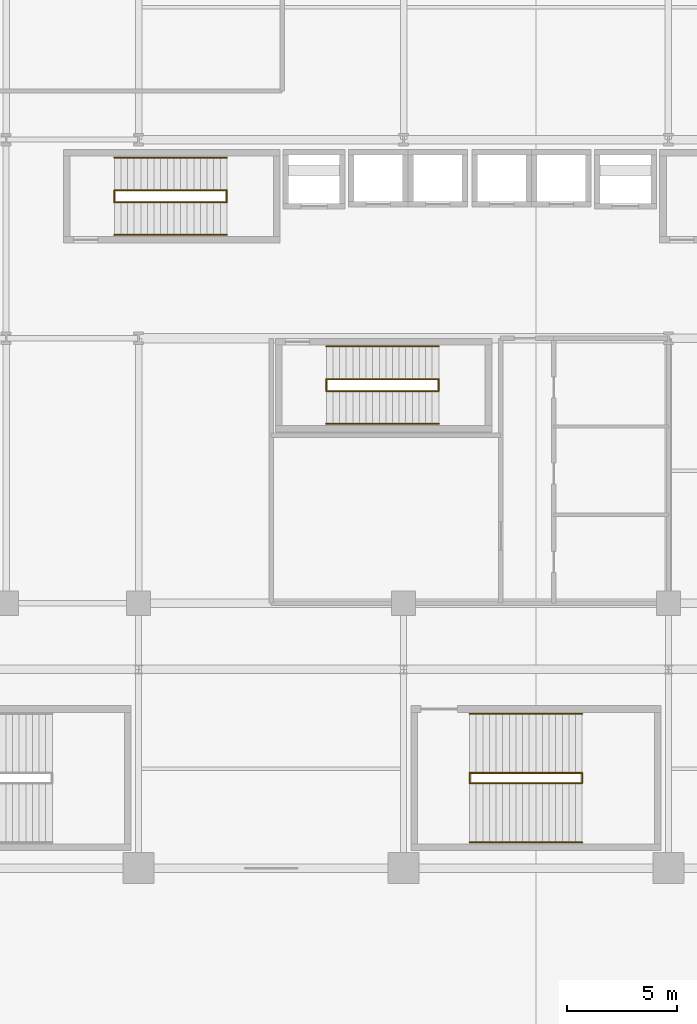
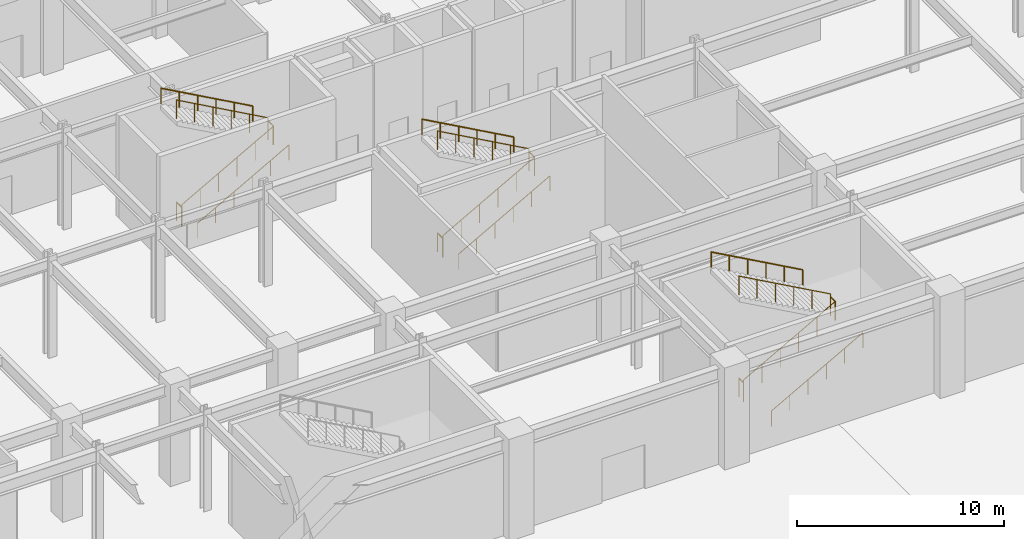
# One storey, part 40 of 44: 18 railings.
"""IFC4 building model written with IfcOpenShell, lengths in metres."""

from ifc_helpers import new_model, si_unit, direction, frame, origin, origin_2d, place, context, subcontext, project, spatial, circle, extrude, material, type_object, element, save


model = new_model("IFC4")

# Units and contexts
model_context = context("Model", 3, precision=1e-05, world=origin(), true_north=direction((0.0, 1.0)))
body_context = subcontext(model_context, "Body", "Model", "MODEL_VIEW")
ifc_project = project(units=[si_unit("LENGTHUNIT", "METRE"), si_unit("AREAUNIT", "SQUARE_METRE"), si_unit("VOLUMEUNIT", "CUBIC_METRE"), si_unit("PLANEANGLEUNIT", "RADIAN"), si_unit("MASSUNIT", "GRAM", prefix="KILO")], contexts=[model_context])

# Site, building, storey
site_placement = place(None, origin())
site = spatial("IfcSite", under=ifc_project, at=site_placement, CompositionType="ELEMENT")
building_placement = place(site_placement, origin())
building = spatial("IfcBuilding", under=site, at=building_placement, Name="Kaldorvane Square Convention Centre", CompositionType="ELEMENT")
storey_placement = place(building_placement, origin())
storey = spatial("IfcBuildingStorey", under=building, at=storey_placement, Name="L00", CompositionType="ELEMENT", Elevation=0.0)

# Railings
ifc_material = material(Name="Architectural Painted Steel", Category="steel")
railing_type_1 = type_object("IfcRailingType", Name="RL-GUARD-1120", PredefinedType="BALUSTRADE", material=ifc_material)
for number, where, name in (
    (1, (40.899993896484375, 102.16999816894531, 0.0), "Tower Exit Stair T1 Floor Well Guard (L00)"),
    (2, (46.0, 102.16999816894531, 3.0), "Tower Exit Stair T1 Half-Landing Guard (L00)"),
):
    element("IfcRailing", number, at=place(storey_placement, frame(where)), inside=storey, type_object=railing_type_1, Name=name, PredefinedType="BALUSTRADE", context=body_context, shape_type="SweptSolid", body=[
        extrude(circle(Radius=0.0240020751953125, at=origin_2d()), frame((0.0, 0.0, 1.0959930419921875), z_axis=(0.0, 1.0, 0.0), x_axis=(-1.0, 0.0, 0.0)), (0.0, 0.0, 1.0), 0.5200042724609375),
        extrude(circle(Radius=0.02099609375, at=origin_2d()), origin(), (0.0, 0.0, 1.0), 1.071990966796875),
        extrude(circle(Radius=0.02099609375, at=origin_2d()), frame((0.0, 0.5200042724609375, 0.0)), (0.0, 0.0, 1.0), 1.071990966796875),
    ])
railing_1_placement = place(storey_placement, frame((40.899993896484375, 102.16000366210938, 0.1666717529296875)))
element("IfcRailing", 3, at=railing_1_placement, inside=storey, type_object=railing_type_1, Name="Tower Exit Stair T1 Flight 1 Guard (L00)", PredefinedType="BALUSTRADE", context=body_context, shape_type="SweptSolid", body=[
    extrude(circle(Radius=0.0240020751953125, at=origin_2d()), frame((0.0, 0.0, 1.0959930419921875), z_axis=(0.874157892962, 0.0, 0.485641820864), x_axis=(0.0, 1.0, 0.0)), (0.0, 0.0, 1.0), 5.834197998046875),
    extrude(circle(Radius=0.02099609375, at=origin_2d()), origin(), (0.0, 0.0, 1.0), 1.071990966796875),
    extrude(circle(Radius=0.02099609375, at=origin_2d()), frame((1.0200042724609375, 0.0, 0.5666656494140625)), (0.0, 0.0, 1.0), 1.071990966796875),
    extrude(circle(Radius=0.02099609375, at=origin_2d()), frame((2.040008544921875, 0.0, 1.133331298828125)), (0.0, 0.0, 1.0), 1.071990966796875),
    extrude(circle(Radius=0.02099609375, at=origin_2d()), frame((3.05999755859375, 0.0, 1.6999969482421875)), (0.0, 0.0, 1.0), 1.071990966796875),
    extrude(circle(Radius=0.02099609375, at=origin_2d()), frame((4.0800018310546875, 0.0, 2.26666259765625)), (0.0, 0.0, 1.0), 1.071990966796875),
    extrude(circle(Radius=0.02099609375, at=origin_2d()), frame((5.100006103515625, 0.0, 2.8333282470703125)), (0.0, 0.0, 1.0), 1.071990966796875),
])
railing_2_placement = place(storey_placement, frame((46.0, 102.69999694824219, 3.1666717529296875)))
element("IfcRailing", 4, at=railing_2_placement, inside=storey, type_object=railing_type_1, Name="Tower Exit Stair T1 Flight 2 Guard (L00)", PredefinedType="BALUSTRADE", context=body_context, shape_type="SweptSolid", body=[
    extrude(circle(Radius=0.0240020751953125, at=origin_2d()), frame((0.0, 0.0, 1.0959930419921875), z_axis=(-0.874157892962, 0.0, 0.485641820864), x_axis=(0.0, -1.0, 0.0)), (0.0, 0.0, 1.0), 5.834197998046875),
    extrude(circle(Radius=0.02099609375, at=origin_2d()), origin(), (0.0, 0.0, 1.0), 1.071990966796875),
    extrude(circle(Radius=0.02099609375, at=origin_2d()), frame((-1.0200042724609375, 0.0, 0.5666656494140625)), (0.0, 0.0, 1.0), 1.071990966796875),
    extrude(circle(Radius=0.02099609375, at=origin_2d()), frame((-2.040008544921875, 0.0, 1.133331298828125)), (0.0, 0.0, 1.0), 1.071990966796875),
    extrude(circle(Radius=0.02099609375, at=origin_2d()), frame((-3.05999755859375, 0.0, 1.6999969482421875)), (0.0, 0.0, 1.0), 1.071990966796875),
    extrude(circle(Radius=0.02099609375, at=origin_2d()), frame((-4.0800018310546875, 0.0, 2.26666259765625)), (0.0, 0.0, 1.0), 1.071990966796875),
    extrude(circle(Radius=0.02099609375, at=origin_2d()), frame((-5.100006103515625, 0.0, 2.8333282470703125)), (0.0, 0.0, 1.0), 1.071990966796875),
])
for number, where, name in (
    (5, (50.5, 93.6199951171875, 0.0), "Tower Exit Stair T3 Floor Well Guard (L00)"),
    (6, (55.600006103515625, 93.6199951171875, 3.0), "Tower Exit Stair T3 Half-Landing Guard (L00)"),
):
    element("IfcRailing", number, at=place(storey_placement, frame(where)), inside=storey, type_object=railing_type_1, Name=name, PredefinedType="BALUSTRADE", context=body_context, shape_type="SweptSolid", body=[
        extrude(circle(Radius=0.0240020751953125, at=origin_2d()), frame((0.0, 0.0, 1.0959930419921875), z_axis=(0.0, 1.0, 0.0), x_axis=(-1.0, 0.0, 0.0)), (0.0, 0.0, 1.0), 0.5200042724609375),
        extrude(circle(Radius=0.02099609375, at=origin_2d()), origin(), (0.0, 0.0, 1.0), 1.071990966796875),
        extrude(circle(Radius=0.02099609375, at=origin_2d()), frame((0.0, 0.5200042724609375, 0.0)), (0.0, 0.0, 1.0), 1.071990966796875),
    ])
railing_3_placement = place(storey_placement, frame((50.5, 93.61000061035156, 0.1666717529296875)))
element("IfcRailing", 7, at=railing_3_placement, inside=storey, type_object=railing_type_1, Name="Tower Exit Stair T3 Flight 1 Guard (L00)", PredefinedType="BALUSTRADE", context=body_context, shape_type="SweptSolid", body=[
    extrude(circle(Radius=0.0240020751953125, at=origin_2d()), frame((0.0, 0.0, 1.0959930419921875), z_axis=(0.874157892962, 0.0, 0.485641820864), x_axis=(0.0, 1.0, 0.0)), (0.0, 0.0, 1.0), 5.834197998046875),
    extrude(circle(Radius=0.02099609375, at=origin_2d()), origin(), (0.0, 0.0, 1.0), 1.071990966796875),
    extrude(circle(Radius=0.02099609375, at=origin_2d()), frame((1.0200042724609375, 0.0, 0.5666656494140625)), (0.0, 0.0, 1.0), 1.071990966796875),
    extrude(circle(Radius=0.02099609375, at=origin_2d()), frame((2.040008544921875, 0.0, 1.133331298828125)), (0.0, 0.0, 1.0), 1.071990966796875),
    extrude(circle(Radius=0.02099609375, at=origin_2d()), frame((3.05999755859375, 0.0, 1.6999969482421875)), (0.0, 0.0, 1.0), 1.071990966796875),
    extrude(circle(Radius=0.02099609375, at=origin_2d()), frame((4.0800018310546875, 0.0, 2.26666259765625)), (0.0, 0.0, 1.0), 1.071990966796875),
    extrude(circle(Radius=0.02099609375, at=origin_2d()), frame((5.100006103515625, 0.0, 2.8333282470703125)), (0.0, 0.0, 1.0), 1.071990966796875),
])
railing_4_placement = place(storey_placement, frame((55.600006103515625, 94.14999389648438, 3.1666717529296875)))
element("IfcRailing", 8, at=railing_4_placement, inside=storey, type_object=railing_type_1, Name="Tower Exit Stair T3 Flight 2 Guard (L00)", PredefinedType="BALUSTRADE", context=body_context, shape_type="SweptSolid", body=[
    extrude(circle(Radius=0.0240020751953125, at=origin_2d()), frame((0.0, 0.0, 1.0959930419921875), z_axis=(-0.874157892962, 0.0, 0.485641820864), x_axis=(0.0, -1.0, 0.0)), (0.0, 0.0, 1.0), 5.834197998046875),
    extrude(circle(Radius=0.02099609375, at=origin_2d()), origin(), (0.0, 0.0, 1.0), 1.071990966796875),
    extrude(circle(Radius=0.02099609375, at=origin_2d()), frame((-1.0200042724609375, 0.0, 0.5666656494140625)), (0.0, 0.0, 1.0), 1.071990966796875),
    extrude(circle(Radius=0.02099609375, at=origin_2d()), frame((-2.040008544921875, 0.0, 1.133331298828125)), (0.0, 0.0, 1.0), 1.071990966796875),
    extrude(circle(Radius=0.02099609375, at=origin_2d()), frame((-3.05999755859375, 0.0, 1.6999969482421875)), (0.0, 0.0, 1.0), 1.071990966796875),
    extrude(circle(Radius=0.02099609375, at=origin_2d()), frame((-4.0800018310546875, 0.0, 2.26666259765625)), (0.0, 0.0, 1.0), 1.071990966796875),
    extrude(circle(Radius=0.02099609375, at=origin_2d()), frame((-5.100006103515625, 0.0, 2.8333282470703125)), (0.0, 0.0, 1.0), 1.071990966796875),
])
for number, where, name in (
    (9, (56.99000549316406, 75.86000061035156, 0.0), "Convention Exit Stair C14 Floor Well Guard (L00)"),
    (10, (62.089996337890625, 75.86000061035156, 3.0), "Convention Exit Stair C14 Half-Landing Guard (L00)"),
):
    element("IfcRailing", number, at=place(storey_placement, frame(where)), inside=storey, type_object=railing_type_1, Name=name, PredefinedType="BALUSTRADE", context=body_context, shape_type="SweptSolid", body=[
        extrude(circle(Radius=0.0240020751953125, at=origin_2d()), frame((0.0, 0.0, 1.0959930419921875), z_axis=(0.0, 1.0, 0.0), x_axis=(-1.0, 0.0, 0.0)), (0.0, 0.0, 1.0), 0.44000244140625),
        extrude(circle(Radius=0.02099609375, at=origin_2d()), origin(), (0.0, 0.0, 1.0), 1.071990966796875),
        extrude(circle(Radius=0.02099609375, at=origin_2d()), frame((0.0, 0.44000244140625, 0.0)), (0.0, 0.0, 1.0), 1.071990966796875),
    ])
railing_5_placement = place(storey_placement, frame((56.99000549316406, 75.85000610351562, 0.1666717529296875)))
element("IfcRailing", 11, at=railing_5_placement, inside=storey, type_object=railing_type_1, Name="Convention Exit Stair C14 Flight 1 Guard (L00)", PredefinedType="BALUSTRADE", context=body_context, shape_type="SweptSolid", body=[
    extrude(circle(Radius=0.0240020751953125, at=origin_2d()), frame((0.0, 0.0, 1.0959930419921875), z_axis=(0.874157276122, 0.0, 0.485642931179), x_axis=(0.0, 1.0, 0.0)), (0.0, 0.0, 1.0), 5.8341827392578125),
    extrude(circle(Radius=0.02099609375, at=origin_2d()), origin(), (0.0, 0.0, 1.0), 1.071990966796875),
    extrude(circle(Radius=0.02099609375, at=origin_2d()), frame((1.0200042724609375, 0.0, 0.5666656494140625)), (0.0, 0.0, 1.0), 1.071990966796875),
    extrude(circle(Radius=0.02099609375, at=origin_2d()), frame((2.0399932861328125, 0.0, 1.133331298828125)), (0.0, 0.0, 1.0), 1.071990966796875),
    extrude(circle(Radius=0.02099609375, at=origin_2d()), frame((3.05999755859375, 0.0, 1.6999969482421875)), (0.0, 0.0, 1.0), 1.071990966796875),
    extrude(circle(Radius=0.02099609375, at=origin_2d()), frame((4.079986572265625, 0.0, 2.26666259765625)), (0.0, 0.0, 1.0), 1.071990966796875),
    extrude(circle(Radius=0.02099609375, at=origin_2d()), frame((5.0999908447265625, 0.0, 2.8333282470703125)), (0.0, 0.0, 1.0), 1.071990966796875),
])
railing_6_placement = place(storey_placement, frame((62.089996337890625, 76.30999755859375, 3.1666717529296875)))
element("IfcRailing", 12, at=railing_6_placement, inside=storey, type_object=railing_type_1, Name="Convention Exit Stair C14 Flight 2 Guard (L00)", PredefinedType="BALUSTRADE", context=body_context, shape_type="SweptSolid", body=[
    extrude(circle(Radius=0.0240020751953125, at=origin_2d()), frame((0.0, 0.0, 1.0959930419921875), z_axis=(-0.874157276122, 0.0, 0.485642931179), x_axis=(0.0, -1.0, 0.0)), (0.0, 0.0, 1.0), 5.8341827392578125),
    extrude(circle(Radius=0.02099609375, at=origin_2d()), origin(), (0.0, 0.0, 1.0), 1.071990966796875),
    extrude(circle(Radius=0.02099609375, at=origin_2d()), frame((-1.0200042724609375, 0.0, 0.5666656494140625)), (0.0, 0.0, 1.0), 1.071990966796875),
    extrude(circle(Radius=0.02099609375, at=origin_2d()), frame((-2.0399932861328125, 0.0, 1.133331298828125)), (0.0, 0.0, 1.0), 1.071990966796875),
    extrude(circle(Radius=0.02099609375, at=origin_2d()), frame((-3.05999755859375, 0.0, 1.6999969482421875)), (0.0, 0.0, 1.0), 1.071990966796875),
    extrude(circle(Radius=0.02099609375, at=origin_2d()), frame((-4.079986572265625, 0.0, 2.26666259765625)), (0.0, 0.0, 1.0), 1.071990966796875),
    extrude(circle(Radius=0.02099609375, at=origin_2d()), frame((-5.0999908447265625, 0.0, 2.8333282470703125)), (0.0, 0.0, 1.0), 1.071990966796875),
])
railing_type_2 = type_object("IfcRailingType", Name="RL-HAND-915", PredefinedType="HANDRAIL", material=ifc_material)
railing_7_placement = place(storey_placement, frame((40.899993896484375, 100.67999267578125, 0.1666717529296875)))
element("IfcRailing", 13, at=railing_7_placement, inside=storey, type_object=railing_type_2, Name="Tower Exit Stair T1 Wall Handrail 1 (L00)", PredefinedType="HANDRAIL", context=body_context, shape_type="SweptSolid", body=[
    extrude(circle(Radius=0.0240020751953125, at=origin_2d()), frame((0.0, 0.0, 0.8909912109375), z_axis=(0.874157892962, 0.0, 0.485641820864), x_axis=(0.0, 1.0, 0.0)), (0.0, 0.0, 1.0), 5.834197998046875),
    extrude(circle(Radius=0.02099609375, at=origin_2d()), origin(), (0.0, 0.0, 1.0), 0.8669891357421875),
    extrude(circle(Radius=0.02099609375, at=origin_2d()), frame((1.0200042724609375, 0.0, 0.5666656494140625)), (0.0, 0.0, 1.0), 0.8669891357421875),
    extrude(circle(Radius=0.02099609375, at=origin_2d()), frame((2.040008544921875, 0.0, 1.133331298828125)), (0.0, 0.0, 1.0), 0.8669891357421875),
    extrude(circle(Radius=0.02099609375, at=origin_2d()), frame((3.05999755859375, 0.0, 1.6999969482421875)), (0.0, 0.0, 1.0), 0.8669891357421875),
    extrude(circle(Radius=0.02099609375, at=origin_2d()), frame((4.0800018310546875, 0.0, 2.26666259765625)), (0.0, 0.0, 1.0), 0.8669891357421875),
    extrude(circle(Radius=0.02099609375, at=origin_2d()), frame((5.100006103515625, 0.0, 2.8333282470703125)), (0.0, 0.0, 1.0), 0.8669891357421875),
])
railing_8_placement = place(storey_placement, frame((46.0, 104.17999267578125, 3.1666717529296875)))
element("IfcRailing", 14, at=railing_8_placement, inside=storey, type_object=railing_type_2, Name="Tower Exit Stair T1 Wall Handrail 2 (L00)", PredefinedType="HANDRAIL", context=body_context, shape_type="SweptSolid", body=[
    extrude(circle(Radius=0.0240020751953125, at=origin_2d()), frame((0.0, 0.0, 0.8909912109375), z_axis=(-0.874157892962, 0.0, 0.485641820864), x_axis=(0.0, -1.0, 0.0)), (0.0, 0.0, 1.0), 5.834197998046875),
    extrude(circle(Radius=0.02099609375, at=origin_2d()), origin(), (0.0, 0.0, 1.0), 0.8669891357421875),
    extrude(circle(Radius=0.02099609375, at=origin_2d()), frame((-1.0200042724609375, 0.0, 0.5666656494140625)), (0.0, 0.0, 1.0), 0.8669891357421875),
    extrude(circle(Radius=0.02099609375, at=origin_2d()), frame((-2.040008544921875, 0.0, 1.133331298828125)), (0.0, 0.0, 1.0), 0.8669891357421875),
    extrude(circle(Radius=0.02099609375, at=origin_2d()), frame((-3.05999755859375, 0.0, 1.6999969482421875)), (0.0, 0.0, 1.0), 0.8669891357421875),
    extrude(circle(Radius=0.02099609375, at=origin_2d()), frame((-4.0800018310546875, 0.0, 2.26666259765625)), (0.0, 0.0, 1.0), 0.8669891357421875),
    extrude(circle(Radius=0.02099609375, at=origin_2d()), frame((-5.100006103515625, 0.0, 2.8333282470703125)), (0.0, 0.0, 1.0), 0.8669891357421875),
])
railing_9_placement = place(storey_placement, frame((50.5, 92.1300048828125, 0.1666717529296875)))
element("IfcRailing", 15, at=railing_9_placement, inside=storey, type_object=railing_type_2, Name="Tower Exit Stair T3 Wall Handrail 1 (L00)", PredefinedType="HANDRAIL", context=body_context, shape_type="SweptSolid", body=[
    extrude(circle(Radius=0.0240020751953125, at=origin_2d()), frame((0.0, 0.0, 0.8909912109375), z_axis=(0.874157892962, 0.0, 0.485641820864), x_axis=(0.0, 1.0, 0.0)), (0.0, 0.0, 1.0), 5.834197998046875),
    extrude(circle(Radius=0.02099609375, at=origin_2d()), origin(), (0.0, 0.0, 1.0), 0.8669891357421875),
    extrude(circle(Radius=0.02099609375, at=origin_2d()), frame((1.0200042724609375, 0.0, 0.5666656494140625)), (0.0, 0.0, 1.0), 0.8669891357421875),
    extrude(circle(Radius=0.02099609375, at=origin_2d()), frame((2.040008544921875, 0.0, 1.133331298828125)), (0.0, 0.0, 1.0), 0.8669891357421875),
    extrude(circle(Radius=0.02099609375, at=origin_2d()), frame((3.05999755859375, 0.0, 1.6999969482421875)), (0.0, 0.0, 1.0), 0.8669891357421875),
    extrude(circle(Radius=0.02099609375, at=origin_2d()), frame((4.0800018310546875, 0.0, 2.26666259765625)), (0.0, 0.0, 1.0), 0.8669891357421875),
    extrude(circle(Radius=0.02099609375, at=origin_2d()), frame((5.100006103515625, 0.0, 2.8333282470703125)), (0.0, 0.0, 1.0), 0.8669891357421875),
])
railing_10_placement = place(storey_placement, frame((55.600006103515625, 95.6300048828125, 3.1666717529296875)))
element("IfcRailing", 16, at=railing_10_placement, inside=storey, type_object=railing_type_2, Name="Tower Exit Stair T3 Wall Handrail 2 (L00)", PredefinedType="HANDRAIL", context=body_context, shape_type="SweptSolid", body=[
    extrude(circle(Radius=0.0240020751953125, at=origin_2d()), frame((0.0, 0.0, 0.8909912109375), z_axis=(-0.874157892962, 0.0, 0.485641820864), x_axis=(0.0, -1.0, 0.0)), (0.0, 0.0, 1.0), 5.834197998046875),
    extrude(circle(Radius=0.02099609375, at=origin_2d()), origin(), (0.0, 0.0, 1.0), 0.8669891357421875),
    extrude(circle(Radius=0.02099609375, at=origin_2d()), frame((-1.0200042724609375, 0.0, 0.5666656494140625)), (0.0, 0.0, 1.0), 0.8669891357421875),
    extrude(circle(Radius=0.02099609375, at=origin_2d()), frame((-2.040008544921875, 0.0, 1.133331298828125)), (0.0, 0.0, 1.0), 0.8669891357421875),
    extrude(circle(Radius=0.02099609375, at=origin_2d()), frame((-3.05999755859375, 0.0, 1.6999969482421875)), (0.0, 0.0, 1.0), 0.8669891357421875),
    extrude(circle(Radius=0.02099609375, at=origin_2d()), frame((-4.0800018310546875, 0.0, 2.26666259765625)), (0.0, 0.0, 1.0), 0.8669891357421875),
    extrude(circle(Radius=0.02099609375, at=origin_2d()), frame((-5.100006103515625, 0.0, 2.8333282470703125)), (0.0, 0.0, 1.0), 0.8669891357421875),
])
railing_11_placement = place(storey_placement, frame((56.99000549316406, 73.16999816894531, 0.1666717529296875)))
element("IfcRailing", 17, at=railing_11_placement, inside=storey, type_object=railing_type_2, Name="Convention Exit Stair C14 Wall Handrail 1 (L00)", PredefinedType="HANDRAIL", context=body_context, shape_type="SweptSolid", body=[
    extrude(circle(Radius=0.0240020751953125, at=origin_2d()), frame((0.0, 0.0, 0.8909912109375), z_axis=(0.874157276122, 0.0, 0.485642931179), x_axis=(0.0, 1.0, 0.0)), (0.0, 0.0, 1.0), 5.8341827392578125),
    extrude(circle(Radius=0.02099609375, at=origin_2d()), origin(), (0.0, 0.0, 1.0), 0.8669891357421875),
    extrude(circle(Radius=0.02099609375, at=origin_2d()), frame((1.0200042724609375, 0.0, 0.5666656494140625)), (0.0, 0.0, 1.0), 0.8669891357421875),
    extrude(circle(Radius=0.02099609375, at=origin_2d()), frame((2.0399932861328125, 0.0, 1.133331298828125)), (0.0, 0.0, 1.0), 0.8669891357421875),
    extrude(circle(Radius=0.02099609375, at=origin_2d()), frame((3.05999755859375, 0.0, 1.6999969482421875)), (0.0, 0.0, 1.0), 0.8669891357421875),
    extrude(circle(Radius=0.02099609375, at=origin_2d()), frame((4.079986572265625, 0.0, 2.26666259765625)), (0.0, 0.0, 1.0), 0.8669891357421875),
    extrude(circle(Radius=0.02099609375, at=origin_2d()), frame((5.0999908447265625, 0.0, 2.8333282470703125)), (0.0, 0.0, 1.0), 0.8669891357421875),
])
railing_12_placement = place(storey_placement, frame((62.089996337890625, 78.99000549316406, 3.1666717529296875)))
element("IfcRailing", 18, at=railing_12_placement, inside=storey, type_object=railing_type_2, Name="Convention Exit Stair C14 Wall Handrail 2 (L00)", PredefinedType="HANDRAIL", context=body_context, shape_type="SweptSolid", body=[
    extrude(circle(Radius=0.0240020751953125, at=origin_2d()), frame((0.0, 0.0, 0.8909912109375), z_axis=(-0.874157276122, 0.0, 0.485642931179), x_axis=(0.0, -1.0, 0.0)), (0.0, 0.0, 1.0), 5.8341827392578125),
    extrude(circle(Radius=0.02099609375, at=origin_2d()), origin(), (0.0, 0.0, 1.0), 0.8669891357421875),
    extrude(circle(Radius=0.02099609375, at=origin_2d()), frame((-1.0200042724609375, 0.0, 0.5666656494140625)), (0.0, 0.0, 1.0), 0.8669891357421875),
    extrude(circle(Radius=0.02099609375, at=origin_2d()), frame((-2.0399932861328125, 0.0, 1.133331298828125)), (0.0, 0.0, 1.0), 0.8669891357421875),
    extrude(circle(Radius=0.02099609375, at=origin_2d()), frame((-3.05999755859375, 0.0, 1.6999969482421875)), (0.0, 0.0, 1.0), 0.8669891357421875),
    extrude(circle(Radius=0.02099609375, at=origin_2d()), frame((-4.079986572265625, 0.0, 2.26666259765625)), (0.0, 0.0, 1.0), 0.8669891357421875),
    extrude(circle(Radius=0.02099609375, at=origin_2d()), frame((-5.0999908447265625, 0.0, 2.8333282470703125)), (0.0, 0.0, 1.0), 0.8669891357421875),
])

save(model, "model.ifc")
